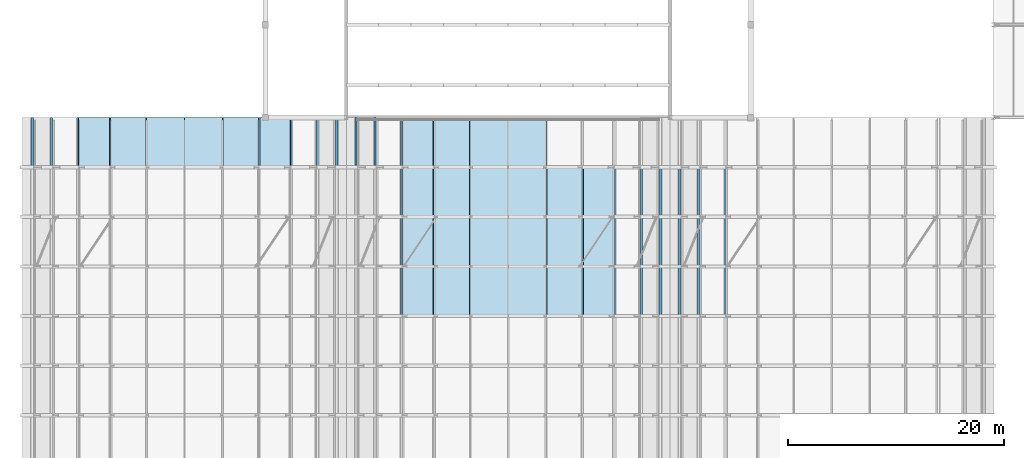
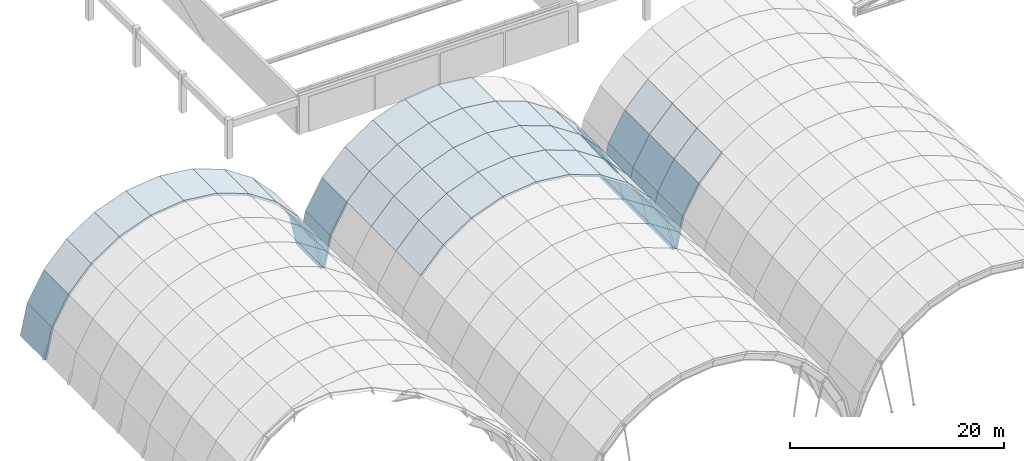
# One storey, part 23 of 47: 58 slabs, 3 elements without a shape of their own.
"""IFC4 building model written with IfcOpenShell, lengths in metres."""

from ifc_helpers import new_model, si_unit, direction, frame, origin, place, context, subcontext, project, spatial, polyline, outline, extrude, material, layer, layer_set, type_object, element, aggregate, save


model = new_model("IFC4")

# Units and contexts
model_context = context("Model", 3, precision=1e-05, world=origin(), true_north=direction((0.0, 1.0)))
body_context = subcontext(model_context, "Body", "Model", "MODEL_VIEW")
ifc_project = project(units=[si_unit("LENGTHUNIT", "METRE"), si_unit("AREAUNIT", "SQUARE_METRE"), si_unit("VOLUMEUNIT", "CUBIC_METRE"), si_unit("PLANEANGLEUNIT", "RADIAN"), si_unit("MASSUNIT", "GRAM", prefix="KILO")], contexts=[model_context])

# Site, building, storey
site_placement = place(None, origin())
site = spatial("IfcSite", under=ifc_project, at=site_placement, CompositionType="ELEMENT")
building_placement = place(site_placement, origin())
building = spatial("IfcBuilding", under=site, at=building_placement, Name="Muzn Square Opera House", CompositionType="ELEMENT")
storey_placement = place(building_placement, frame((0.0, 0.0, 31.0)))
storey = spatial("IfcBuildingStorey", under=building, at=storey_placement, Name="RF-1", CompositionType="ELEMENT", Elevation=31.0)

# Roof, slabs
ifc_material_1 = material(Name="Patina green copper-zinc standing seam", Category="metal")
roof_type = type_object("IfcRoofType", Name="Barrel Vault Roof Assembly", PredefinedType="BARREL_ROOF", material=ifc_material_1)
roof_1_placement = place(storey_placement, origin())
roof_1 = element("IfcRoof", 1, at=roof_1_placement, inside=storey, type_object=roof_type, Name="West Salon Barrel Vault Roof Assembly", PredefinedType="BARREL_ROOF")
ifc_material_2 = material(Name="Concrete C40/50", Category="concrete")
ifc_layer = layer(ifc_material_2, 0.219970703125, Name="Concrete C40/50", Category="concrete")
ifc_layer_set = layer_set([ifc_layer], Name="Concrete C40/50")
slab_type = type_object("IfcSlabType", Name="Barrel Vault Roof Slab 220mm", PredefinedType="ROOF", material=ifc_layer_set)
slab_1_placement = place(storey_placement, frame((43.780029296875, 68.0, -9.03564453125), z_axis=(-0.97702538959, 0.0, 0.213122941272), x_axis=(0.0, 1.0, 0.0)))
slab_1 = element("IfcSlab", 2, at=slab_1_placement, type_object=slab_type, Name="Barrel Vault Roof Deck Strip V1-10-F00", PredefinedType="ROOF", context=body_context, shape_type="SweptSolid", body=[
    extrude(outline(polyline([(0.0, 3.5523162058829336), (0.0, 0.0), (4.60009765625, 0.0), (4.60009765625, 3.5523162058829336), (0.0, 3.5523162058829336)])), origin(), (0.0, 0.0, -1.0), 0.219970703125),
])
slab_2_placement = place(storey_placement, frame((45.55712890625, 68.0, -5.891845703125), z_axis=(-0.870542692247, 0.0, 0.492092898724), x_axis=(0.0, 1.0, 0.0)))
slab_2 = element("IfcSlab", 3, at=slab_2_placement, type_object=slab_type, Name="Barrel Vault Roof Deck Strip V1-10-F01", PredefinedType="ROOF", context=body_context, shape_type="SweptSolid", body=[
    extrude(outline(polyline([(0.0, 3.611309193818898), (0.0, 0.0), (4.60009765625, 0.0), (4.60009765625, 3.611309193818898), (0.0, 3.611309193818898)])), origin(), (0.0, 0.0, -1.0), 0.219970703125),
])
slab_3_placement = place(storey_placement, frame((48.016845703125, 68.0, -3.24755859375), z_axis=(-0.732198498352, 0.0, 0.681091300055), x_axis=(0.0, 1.0, 0.0)))
slab_3 = element("IfcSlab", 4, at=slab_3_placement, type_object=slab_type, Name="Barrel Vault Roof Deck Strip V1-10-F02", PredefinedType="ROOF", context=body_context, shape_type="SweptSolid", body=[
    extrude(outline(polyline([(0.0, 3.6114347616474824), (0.0, 0.0), (4.60009765625, 0.0), (4.60009765625, 3.6114347616474824), (0.0, 3.6114347616474824)])), origin(), (0.0, 0.0, -1.0), 0.219970703125),
])
slab_4_placement = place(storey_placement, frame((51.02392578125, 68.0, -1.248046875), z_axis=(-0.553701293488, 0.0, 0.832715364089), x_axis=(0.0, 1.0, 0.0)))
slab_4 = element("IfcSlab", 5, at=slab_4_placement, type_object=slab_type, Name="Barrel Vault Roof Deck Strip V1-10-F03", PredefinedType="ROOF", context=body_context, shape_type="SweptSolid", body=[
    extrude(outline(polyline([(0.0, 3.611174007116637), (0.0, 0.0), (4.60009765625, 0.0), (4.60009765625, 3.611174007116637), (0.0, 3.611174007116637)])), origin(), (0.0, 0.0, -1.0), 0.219970703125),
])
slab_5_placement = place(storey_placement, frame((54.41357421875, 68.0, -0.00244140625), z_axis=(-0.344922006795, 0.0, 0.938631348948), x_axis=(0.0, 1.0, 0.0)))
slab_5 = element("IfcSlab", 6, at=slab_5_placement, type_object=slab_type, Name="Barrel Vault Roof Deck Strip V1-10-F04", PredefinedType="ROOF", context=body_context, shape_type="SweptSolid", body=[
    extrude(outline(polyline([(0.0, 3.6112670233072075), (0.0, 0.0), (4.60009765625, 0.0), (4.60009765625, 3.6112670233072075), (0.0, 3.6112670233072075)])), origin(), (0.0, 0.0, -1.0), 0.219970703125),
])
slab_6_placement = place(storey_placement, frame((58.0, 68.0, 0.419921875), z_axis=(-0.116958923267, 0.0, 0.993136753055), x_axis=(0.0, 1.0, 0.0)))
slab_6 = element("IfcSlab", 7, at=slab_6_placement, type_object=slab_type, Name="Barrel Vault Roof Deck Strip V1-10-F05", PredefinedType="ROOF", context=body_context, shape_type="SweptSolid", body=[
    extrude(outline(polyline([(0.0, 3.611210410065154), (0.0, 0.0), (4.60009765625, 0.0), (4.60009765625, 3.611210410065154), (0.0, 3.611210410065154)])), origin(), (0.0, 0.0, -1.0), 0.219970703125),
])
slab_7_placement = place(storey_placement, frame((58.0, 68.0, 0.419921875), z_axis=(0.116958923267, 0.0, 0.993136753055), x_axis=(0.993136753055, 0.0, -0.116958923267)))
slab_7 = element("IfcSlab", 8, at=slab_7_placement, type_object=slab_type, Name="Barrel Vault Roof Deck Strip V1-10-F06", PredefinedType="ROOF", context=body_context, shape_type="SweptSolid", body=[
    extrude(outline(polyline([(0.0, 0.0), (3.611210410065154, 0.0), (3.611210410065154, 4.60009765625), (0.0, 4.60009765625), (0.0, 0.0)])), origin(), (0.0, 0.0, -1.0), 0.219970703125),
])
slab_8_placement = place(storey_placement, frame((61.58642578125, 68.0, -0.00244140625), z_axis=(0.344922006795, 0.0, 0.938631348948), x_axis=(0.938631348948, 0.0, -0.344922006795)))
slab_8 = element("IfcSlab", 9, at=slab_8_placement, type_object=slab_type, Name="Barrel Vault Roof Deck Strip V1-10-F07", PredefinedType="ROOF", context=body_context, shape_type="SweptSolid", body=[
    extrude(outline(polyline([(0.0, 0.0), (3.6112670233072075, 0.0), (3.6112670233072075, 4.60009765625), (0.0, 4.60009765625), (0.0, 0.0)])), origin(), (0.0, 0.0, -1.0), 0.219970703125),
])
slab_9_placement = place(storey_placement, frame((64.97607421875, 68.0, -1.248046875), z_axis=(0.553701293488, 0.0, 0.832715364089), x_axis=(0.832715364089, 0.0, -0.553701293488)))
slab_9 = element("IfcSlab", 10, at=slab_9_placement, type_object=slab_type, Name="Barrel Vault Roof Deck Strip V1-10-F08", PredefinedType="ROOF", context=body_context, shape_type="SweptSolid", body=[
    extrude(outline(polyline([(0.0, 0.0), (3.611174007116638, 0.0), (3.611174007116638, 4.600097656249999), (0.0, 4.600097656249999), (0.0, 0.0)])), origin(), (0.0, 0.0, -1.0), 0.219970703125),
])
slab_10_placement = place(storey_placement, frame((67.983154296875, 68.0, -3.24755859375), z_axis=(0.732198498352, 0.0, 0.681091300055), x_axis=(0.681091300055, 0.0, -0.732198498352)))
slab_10 = element("IfcSlab", 11, at=slab_10_placement, type_object=slab_type, Name="Barrel Vault Roof Deck Strip V1-10-F09", PredefinedType="ROOF", context=body_context, shape_type="SweptSolid", body=[
    extrude(outline(polyline([(0.0, 0.0), (3.611434761647482, 0.0), (3.611434761647482, 4.600097656250001), (0.0, 4.600097656250001), (0.0, 0.0)])), origin(), (0.0, 0.0, -1.0), 0.219970703125),
])
slab_11_placement = place(storey_placement, frame((70.44287109375, 68.0, -5.891845703125), z_axis=(0.870542692247, 0.0, 0.492092898724), x_axis=(0.492092898724, 0.0, -0.870542692247)))
slab_11 = element("IfcSlab", 12, at=slab_11_placement, type_object=slab_type, Name="Barrel Vault Roof Deck Strip V1-10-F10", PredefinedType="ROOF", context=body_context, shape_type="SweptSolid", body=[
    extrude(outline(polyline([(0.0, 0.0), (3.611309193818898, 0.0), (3.611309193818898, 4.60009765625), (0.0, 4.60009765625), (0.0, 0.0)])), origin(), (0.0, 0.0, -1.0), 0.219970703125),
])
slab_12_placement = place(storey_placement, frame((72.219970703125, 68.0, -9.03564453125), z_axis=(0.97702538959, 0.0, 0.213122941272), x_axis=(0.213122941272, 0.0, -0.97702538959)))
slab_12 = element("IfcSlab", 13, at=slab_12_placement, type_object=slab_type, Name="Barrel Vault Roof Deck Strip V1-10-F11", PredefinedType="ROOF", context=body_context, shape_type="SweptSolid", body=[
    extrude(outline(polyline([(0.0, 0.0), (3.5523162058829336, 0.0), (3.5523162058829336, 4.60009765625), (0.0, 4.60009765625), (0.0, 0.0)])), origin(), (0.0, 0.0, -1.0), 0.219970703125),
])
aggregate(roof_1, [slab_1, slab_2, slab_3, slab_4, slab_5, slab_6, slab_7, slab_8, slab_9, slab_10, slab_11, slab_12])

roof_2_placement = place(storey_placement, origin())
roof_2 = element("IfcRoof", 14, at=roof_2_placement, inside=storey, type_object=roof_type, Name="Grand Auditorium Barrel Vault Roof Assembly", PredefinedType="BARREL_ROOF")
slab_13_placement = place(storey_placement, frame((78.016845703125, 54.199951171875, -3.24755859375), z_axis=(-0.732198498352, 0.0, 0.681091300055), x_axis=(0.0, 1.0, 0.0)))
slab_13 = element("IfcSlab", 15, at=slab_13_placement, type_object=slab_type, Name="Barrel Vault Roof Deck Strip V2-07-F02", PredefinedType="ROOF", context=body_context, shape_type="SweptSolid", body=[
    extrude(outline(polyline([(0.0, 3.6114347616474824), (0.0, 0.0), (4.60009765625, 0.0), (4.60009765625, 3.6114347616474824), (0.0, 3.6114347616474824)])), origin(), (0.0, 0.0, -1.0), 0.219970703125),
])
slab_14_placement = place(storey_placement, frame((81.02392578125, 54.199951171875, -1.248046875), z_axis=(-0.553701293488, 0.0, 0.832715364089), x_axis=(0.0, 1.0, 0.0)))
slab_14 = element("IfcSlab", 16, at=slab_14_placement, type_object=slab_type, Name="Barrel Vault Roof Deck Strip V2-07-F03", PredefinedType="ROOF", context=body_context, shape_type="SweptSolid", body=[
    extrude(outline(polyline([(0.0, 3.611174007116637), (0.0, 0.0), (4.60009765625, 0.0), (4.60009765625, 3.611174007116637), (0.0, 3.611174007116637)])), origin(), (0.0, 0.0, -1.0), 0.219970703125),
])
slab_15_placement = place(storey_placement, frame((84.41357421875, 54.199951171875, -0.00244140625), z_axis=(-0.344922006795, 0.0, 0.938631348948), x_axis=(0.0, 1.0, 0.0)))
slab_15 = element("IfcSlab", 17, at=slab_15_placement, type_object=slab_type, Name="Barrel Vault Roof Deck Strip V2-07-F04", PredefinedType="ROOF", context=body_context, shape_type="SweptSolid", body=[
    extrude(outline(polyline([(0.0, 3.6112670233072075), (0.0, 0.0), (4.60009765625, 0.0), (4.60009765625, 3.6112670233072075), (0.0, 3.6112670233072075)])), origin(), (0.0, 0.0, -1.0), 0.219970703125),
])
slab_16_placement = place(storey_placement, frame((88.0, 54.199951171875, 0.419921875), z_axis=(-0.116958923267, 0.0, 0.993136753055), x_axis=(0.0, 1.0, 0.0)))
slab_16 = element("IfcSlab", 18, at=slab_16_placement, type_object=slab_type, Name="Barrel Vault Roof Deck Strip V2-07-F05", PredefinedType="ROOF", context=body_context, shape_type="SweptSolid", body=[
    extrude(outline(polyline([(0.0, 3.611210410065154), (0.0, 0.0), (4.60009765625, 0.0), (4.60009765625, 3.611210410065154), (0.0, 3.611210410065154)])), origin(), (0.0, 0.0, -1.0), 0.219970703125),
])
slab_17_placement = place(storey_placement, frame((88.0, 54.199951171875, 0.419921875), z_axis=(0.116958923267, 0.0, 0.993136753055), x_axis=(0.993136753055, 0.0, -0.116958923267)))
slab_17 = element("IfcSlab", 19, at=slab_17_placement, type_object=slab_type, Name="Barrel Vault Roof Deck Strip V2-07-F06", PredefinedType="ROOF", context=body_context, shape_type="SweptSolid", body=[
    extrude(outline(polyline([(0.0, 0.0), (3.611210410065154, 0.0), (3.611210410065154, 4.60009765625), (0.0, 4.60009765625), (0.0, 0.0)])), origin(), (0.0, 0.0, -1.0), 0.219970703125),
])
slab_18_placement = place(storey_placement, frame((91.58642578125, 54.199951171875, -0.00244140625), z_axis=(0.344922006795, 0.0, 0.938631348948), x_axis=(0.938631348948, 0.0, -0.344922006795)))
slab_18 = element("IfcSlab", 20, at=slab_18_placement, type_object=slab_type, Name="Barrel Vault Roof Deck Strip V2-07-F07", PredefinedType="ROOF", context=body_context, shape_type="SweptSolid", body=[
    extrude(outline(polyline([(0.0, 0.0), (3.6112670233072075, 0.0), (3.6112670233072075, 4.60009765625), (0.0, 4.60009765625), (0.0, 0.0)])), origin(), (0.0, 0.0, -1.0), 0.219970703125),
])
slab_19_placement = place(storey_placement, frame((94.97607421875, 54.199951171875, -1.248046875), z_axis=(0.553701293488, 0.0, 0.832715364089), x_axis=(0.832715364089, 0.0, -0.553701293488)))
slab_19 = element("IfcSlab", 21, at=slab_19_placement, type_object=slab_type, Name="Barrel Vault Roof Deck Strip V2-07-F08", PredefinedType="ROOF", context=body_context, shape_type="SweptSolid", body=[
    extrude(outline(polyline([(0.0, 0.0), (3.611174007116638, 0.0), (3.611174007116638, 4.600097656249999), (0.0, 4.600097656249999), (0.0, 0.0)])), origin(), (0.0, 0.0, -1.0), 0.219970703125),
])
slab_20_placement = place(storey_placement, frame((97.983154296875, 54.199951171875, -3.24755859375), z_axis=(0.732198498352, 0.0, 0.681091300055), x_axis=(0.681091300055, 0.0, -0.732198498352)))
slab_20 = element("IfcSlab", 22, at=slab_20_placement, type_object=slab_type, Name="Barrel Vault Roof Deck Strip V2-07-F09", PredefinedType="ROOF", context=body_context, shape_type="SweptSolid", body=[
    extrude(outline(polyline([(0.0, 0.0), (3.611434761647482, 0.0), (3.611434761647482, 4.600097656250001), (0.0, 4.600097656250001), (0.0, 0.0)])), origin(), (0.0, 0.0, -1.0), 0.219970703125),
])
slab_21_placement = place(storey_placement, frame((100.44287109375, 54.199951171875, -5.891845703125), z_axis=(0.870542692247, 0.0, 0.492092898724), x_axis=(0.492092898724, 0.0, -0.870542692247)))
slab_21 = element("IfcSlab", 23, at=slab_21_placement, type_object=slab_type, Name="Barrel Vault Roof Deck Strip V2-07-F10", PredefinedType="ROOF", context=body_context, shape_type="SweptSolid", body=[
    extrude(outline(polyline([(0.0, 0.0), (3.611309193818898, 0.0), (3.611309193818898, 4.60009765625), (0.0, 4.60009765625), (0.0, 0.0)])), origin(), (0.0, 0.0, -1.0), 0.219970703125),
])
slab_22_placement = place(storey_placement, frame((102.219970703125, 54.199951171875, -9.03564453125), z_axis=(0.97702538959, 0.0, 0.213122941272), x_axis=(0.213122941272, 0.0, -0.97702538959)))
slab_22 = element("IfcSlab", 24, at=slab_22_placement, type_object=slab_type, Name="Barrel Vault Roof Deck Strip V2-07-F11", PredefinedType="ROOF", context=body_context, shape_type="SweptSolid", body=[
    extrude(outline(polyline([(0.0, 0.0), (3.5523162058829336, 0.0), (3.5523162058829336, 4.60009765625), (0.0, 4.60009765625), (0.0, 0.0)])), origin(), (0.0, 0.0, -1.0), 0.219970703125),
])
slab_23_placement = place(storey_placement, frame((78.016845703125, 58.800048828125, -3.24755859375), z_axis=(-0.732198498352, 0.0, 0.681091300055), x_axis=(0.0, 1.0, 0.0)))
slab_23 = element("IfcSlab", 25, at=slab_23_placement, type_object=slab_type, Name="Barrel Vault Roof Deck Strip V2-08-F02", PredefinedType="ROOF", context=body_context, shape_type="SweptSolid", body=[
    extrude(outline(polyline([(0.0, 3.6114347616474816), (0.0, 0.0), (4.599853515625, 0.0), (4.599853515625, 3.6114347616474816), (0.0, 3.6114347616474816)])), origin(), (0.0, 0.0, -1.0), 0.219970703125),
])
slab_24_placement = place(storey_placement, frame((81.02392578125, 58.800048828125, -1.248046875), z_axis=(-0.553701293488, 0.0, 0.832715364089), x_axis=(0.0, 1.0, 0.0)))
slab_24 = element("IfcSlab", 26, at=slab_24_placement, type_object=slab_type, Name="Barrel Vault Roof Deck Strip V2-08-F03", PredefinedType="ROOF", context=body_context, shape_type="SweptSolid", body=[
    extrude(outline(polyline([(0.0, 3.6111740071166376), (0.0, 0.0), (4.599853515625, 0.0), (4.599853515625, 3.6111740071166376), (0.0, 3.6111740071166376)])), origin(), (0.0, 0.0, -1.0), 0.219970703125),
])
slab_25_placement = place(storey_placement, frame((84.41357421875, 58.800048828125, -0.00244140625), z_axis=(-0.344922006795, 0.0, 0.938631348948), x_axis=(0.0, 1.0, 0.0)))
slab_25 = element("IfcSlab", 27, at=slab_25_placement, type_object=slab_type, Name="Barrel Vault Roof Deck Strip V2-08-F04", PredefinedType="ROOF", context=body_context, shape_type="SweptSolid", body=[
    extrude(outline(polyline([(0.0, 3.6112670233072075), (0.0, 0.0), (4.599853515625, 0.0), (4.599853515625, 3.6112670233072075), (0.0, 3.6112670233072075)])), origin(), (0.0, 0.0, -1.0), 0.219970703125),
])
slab_26_placement = place(storey_placement, frame((88.0, 58.800048828125, 0.419921875), z_axis=(-0.116958923267, 0.0, 0.993136753055), x_axis=(0.0, 1.0, 0.0)))
slab_26 = element("IfcSlab", 28, at=slab_26_placement, type_object=slab_type, Name="Barrel Vault Roof Deck Strip V2-08-F05", PredefinedType="ROOF", context=body_context, shape_type="SweptSolid", body=[
    extrude(outline(polyline([(0.0, 3.611210410065154), (0.0, 0.0), (4.599853515625, 0.0), (4.599853515625, 3.611210410065154), (0.0, 3.611210410065154)])), origin(), (0.0, 0.0, -1.0), 0.219970703125),
])
slab_27_placement = place(storey_placement, frame((88.0, 58.800048828125, 0.419921875), z_axis=(0.116958923267, 0.0, 0.993136753055), x_axis=(0.993136753055, 0.0, -0.116958923267)))
slab_27 = element("IfcSlab", 29, at=slab_27_placement, type_object=slab_type, Name="Barrel Vault Roof Deck Strip V2-08-F06", PredefinedType="ROOF", context=body_context, shape_type="SweptSolid", body=[
    extrude(outline(polyline([(0.0, 0.0), (3.611210410065154, 0.0), (3.611210410065154, 4.599853515625), (0.0, 4.599853515625), (0.0, 0.0)])), origin(), (0.0, 0.0, -1.0), 0.219970703125),
])
slab_28_placement = place(storey_placement, frame((91.58642578125, 58.800048828125, -0.00244140625), z_axis=(0.344922006795, 0.0, 0.938631348948), x_axis=(0.938631348948, 0.0, -0.344922006795)))
slab_28 = element("IfcSlab", 30, at=slab_28_placement, type_object=slab_type, Name="Barrel Vault Roof Deck Strip V2-08-F07", PredefinedType="ROOF", context=body_context, shape_type="SweptSolid", body=[
    extrude(outline(polyline([(0.0, 0.0), (3.6112670233072075, 0.0), (3.6112670233072075, 4.599853515625), (0.0, 4.599853515625), (0.0, 0.0)])), origin(), (0.0, 0.0, -1.0), 0.219970703125),
])
slab_29_placement = place(storey_placement, frame((94.97607421875, 58.800048828125, -1.248046875), z_axis=(0.553701293488, 0.0, 0.832715364089), x_axis=(0.832715364089, 0.0, -0.553701293488)))
slab_29 = element("IfcSlab", 31, at=slab_29_placement, type_object=slab_type, Name="Barrel Vault Roof Deck Strip V2-08-F08", PredefinedType="ROOF", context=body_context, shape_type="SweptSolid", body=[
    extrude(outline(polyline([(0.0, 0.0), (3.611174007116638, 0.0), (3.611174007116638, 4.599853515625), (0.0, 4.599853515625), (0.0, 0.0)])), origin(), (0.0, 0.0, -1.0), 0.219970703125),
])
slab_30_placement = place(storey_placement, frame((97.983154296875, 58.800048828125, -3.24755859375), z_axis=(0.732198498352, 0.0, 0.681091300055), x_axis=(0.681091300055, 0.0, -0.732198498352)))
slab_30 = element("IfcSlab", 32, at=slab_30_placement, type_object=slab_type, Name="Barrel Vault Roof Deck Strip V2-08-F09", PredefinedType="ROOF", context=body_context, shape_type="SweptSolid", body=[
    extrude(outline(polyline([(0.0, 0.0), (3.611434761647482, 0.0), (3.611434761647482, 4.599853515625), (0.0, 4.599853515625), (0.0, 0.0)])), origin(), (0.0, 0.0, -1.0), 0.219970703125),
])
slab_31_placement = place(storey_placement, frame((100.44287109375, 58.800048828125, -5.891845703125), z_axis=(0.870542692247, 0.0, 0.492092898724), x_axis=(0.492092898724, 0.0, -0.870542692247)))
slab_31 = element("IfcSlab", 33, at=slab_31_placement, type_object=slab_type, Name="Barrel Vault Roof Deck Strip V2-08-F10", PredefinedType="ROOF", context=body_context, shape_type="SweptSolid", body=[
    extrude(outline(polyline([(0.0, 0.0), (3.611309193818898, 0.0), (3.611309193818898, 4.599853515625), (0.0, 4.599853515625), (0.0, 0.0)])), origin(), (0.0, 0.0, -1.0), 0.219970703125),
])
slab_32_placement = place(storey_placement, frame((102.219970703125, 58.800048828125, -9.03564453125), z_axis=(0.97702538959, 0.0, 0.213122941272), x_axis=(0.213122941272, 0.0, -0.97702538959)))
slab_32 = element("IfcSlab", 34, at=slab_32_placement, type_object=slab_type, Name="Barrel Vault Roof Deck Strip V2-08-F11", PredefinedType="ROOF", context=body_context, shape_type="SweptSolid", body=[
    extrude(outline(polyline([(0.0, 0.0), (3.5523162058829336, 0.0), (3.5523162058829336, 4.599853515625), (0.0, 4.599853515625), (0.0, 0.0)])), origin(), (0.0, 0.0, -1.0), 0.219970703125),
])
slab_33_placement = place(storey_placement, frame((78.016845703125, 63.39990234375, -3.24755859375), z_axis=(-0.732198498352, 0.0, 0.681091300055), x_axis=(0.0, 1.0, 0.0)))
slab_33 = element("IfcSlab", 35, at=slab_33_placement, type_object=slab_type, Name="Barrel Vault Roof Deck Strip V2-09-F02", PredefinedType="ROOF", context=body_context, shape_type="SweptSolid", body=[
    extrude(outline(polyline([(0.0, 3.6114347616474824), (0.0, 0.0), (4.60009765625, 0.0), (4.60009765625, 3.6114347616474824), (0.0, 3.6114347616474824)])), origin(), (0.0, 0.0, -1.0), 0.219970703125),
])
slab_34_placement = place(storey_placement, frame((81.02392578125, 63.39990234375, -1.248046875), z_axis=(-0.553701293488, 0.0, 0.832715364089), x_axis=(0.0, 1.0, 0.0)))
slab_34 = element("IfcSlab", 36, at=slab_34_placement, type_object=slab_type, Name="Barrel Vault Roof Deck Strip V2-09-F03", PredefinedType="ROOF", context=body_context, shape_type="SweptSolid", body=[
    extrude(outline(polyline([(0.0, 3.611174007116637), (0.0, 0.0), (4.60009765625, 0.0), (4.60009765625, 3.611174007116637), (0.0, 3.611174007116637)])), origin(), (0.0, 0.0, -1.0), 0.219970703125),
])
slab_35_placement = place(storey_placement, frame((84.41357421875, 63.39990234375, -0.00244140625), z_axis=(-0.344922006795, 0.0, 0.938631348948), x_axis=(0.0, 1.0, 0.0)))
slab_35 = element("IfcSlab", 37, at=slab_35_placement, type_object=slab_type, Name="Barrel Vault Roof Deck Strip V2-09-F04", PredefinedType="ROOF", context=body_context, shape_type="SweptSolid", body=[
    extrude(outline(polyline([(0.0, 3.6112670233072075), (0.0, 0.0), (4.60009765625, 0.0), (4.60009765625, 3.6112670233072075), (0.0, 3.6112670233072075)])), origin(), (0.0, 0.0, -1.0), 0.219970703125),
])
slab_36_placement = place(storey_placement, frame((88.0, 63.39990234375, 0.419921875), z_axis=(-0.116958923267, 0.0, 0.993136753055), x_axis=(0.0, 1.0, 0.0)))
slab_36 = element("IfcSlab", 38, at=slab_36_placement, type_object=slab_type, Name="Barrel Vault Roof Deck Strip V2-09-F05", PredefinedType="ROOF", context=body_context, shape_type="SweptSolid", body=[
    extrude(outline(polyline([(0.0, 3.611210410065154), (0.0, 0.0), (4.60009765625, 0.0), (4.60009765625, 3.611210410065154), (0.0, 3.611210410065154)])), origin(), (0.0, 0.0, -1.0), 0.219970703125),
])
slab_37_placement = place(storey_placement, frame((88.0, 63.39990234375, 0.419921875), z_axis=(0.116958923267, 0.0, 0.993136753055), x_axis=(0.993136753055, 0.0, -0.116958923267)))
slab_37 = element("IfcSlab", 39, at=slab_37_placement, type_object=slab_type, Name="Barrel Vault Roof Deck Strip V2-09-F06", PredefinedType="ROOF", context=body_context, shape_type="SweptSolid", body=[
    extrude(outline(polyline([(0.0, 0.0), (3.611210410065154, 0.0), (3.611210410065154, 4.60009765625), (0.0, 4.60009765625), (0.0, 0.0)])), origin(), (0.0, 0.0, -1.0), 0.219970703125),
])
slab_38_placement = place(storey_placement, frame((91.58642578125, 63.39990234375, -0.00244140625), z_axis=(0.344922006795, 0.0, 0.938631348948), x_axis=(0.938631348948, 0.0, -0.344922006795)))
slab_38 = element("IfcSlab", 40, at=slab_38_placement, type_object=slab_type, Name="Barrel Vault Roof Deck Strip V2-09-F07", PredefinedType="ROOF", context=body_context, shape_type="SweptSolid", body=[
    extrude(outline(polyline([(0.0, 0.0), (3.6112670233072075, 0.0), (3.6112670233072075, 4.60009765625), (0.0, 4.60009765625), (0.0, 0.0)])), origin(), (0.0, 0.0, -1.0), 0.219970703125),
])
slab_39_placement = place(storey_placement, frame((94.97607421875, 63.39990234375, -1.248046875), z_axis=(0.553701293488, 0.0, 0.832715364089), x_axis=(0.832715364089, 0.0, -0.553701293488)))
slab_39 = element("IfcSlab", 41, at=slab_39_placement, type_object=slab_type, Name="Barrel Vault Roof Deck Strip V2-09-F08", PredefinedType="ROOF", context=body_context, shape_type="SweptSolid", body=[
    extrude(outline(polyline([(0.0, 0.0), (3.611174007116638, 0.0), (3.611174007116638, 4.600097656249999), (0.0, 4.600097656249999), (0.0, 0.0)])), origin(), (0.0, 0.0, -1.0), 0.219970703125),
])
slab_40_placement = place(storey_placement, frame((97.983154296875, 63.39990234375, -3.24755859375), z_axis=(0.732198498352, 0.0, 0.681091300055), x_axis=(0.681091300055, 0.0, -0.732198498352)))
slab_40 = element("IfcSlab", 42, at=slab_40_placement, type_object=slab_type, Name="Barrel Vault Roof Deck Strip V2-09-F09", PredefinedType="ROOF", context=body_context, shape_type="SweptSolid", body=[
    extrude(outline(polyline([(0.0, 0.0), (3.611434761647482, 0.0), (3.611434761647482, 4.600097656250001), (0.0, 4.600097656250001), (0.0, 0.0)])), origin(), (0.0, 0.0, -1.0), 0.219970703125),
])
slab_41_placement = place(storey_placement, frame((100.44287109375, 63.39990234375, -5.891845703125), z_axis=(0.870542692247, 0.0, 0.492092898724), x_axis=(0.492092898724, 0.0, -0.870542692247)))
slab_41 = element("IfcSlab", 43, at=slab_41_placement, type_object=slab_type, Name="Barrel Vault Roof Deck Strip V2-09-F10", PredefinedType="ROOF", context=body_context, shape_type="SweptSolid", body=[
    extrude(outline(polyline([(0.0, 0.0), (3.611309193818898, 0.0), (3.611309193818898, 4.60009765625), (0.0, 4.60009765625), (0.0, 0.0)])), origin(), (0.0, 0.0, -1.0), 0.219970703125),
])
slab_42_placement = place(storey_placement, frame((102.219970703125, 63.39990234375, -9.03564453125), z_axis=(0.97702538959, 0.0, 0.213122941272), x_axis=(0.213122941272, 0.0, -0.97702538959)))
slab_42 = element("IfcSlab", 44, at=slab_42_placement, type_object=slab_type, Name="Barrel Vault Roof Deck Strip V2-09-F11", PredefinedType="ROOF", context=body_context, shape_type="SweptSolid", body=[
    extrude(outline(polyline([(0.0, 0.0), (3.5523162058829336, 0.0), (3.5523162058829336, 4.60009765625), (0.0, 4.60009765625), (0.0, 0.0)])), origin(), (0.0, 0.0, -1.0), 0.219970703125),
])
slab_43_placement = place(storey_placement, frame((73.780029296875, 68.0, -9.03564453125), z_axis=(-0.97702538959, 0.0, 0.213122941272), x_axis=(0.0, 1.0, 0.0)))
slab_43 = element("IfcSlab", 45, at=slab_43_placement, type_object=slab_type, Name="Barrel Vault Roof Deck Strip V2-10-F00", PredefinedType="ROOF", context=body_context, shape_type="SweptSolid", body=[
    extrude(outline(polyline([(0.0, 3.5523162058829336), (0.0, 0.0), (4.60009765625, 0.0), (4.60009765625, 3.5523162058829336), (0.0, 3.5523162058829336)])), origin(), (0.0, 0.0, -1.0), 0.219970703125),
])
slab_44_placement = place(storey_placement, frame((75.55712890625, 68.0, -5.891845703125), z_axis=(-0.870542692247, 0.0, 0.492092898724), x_axis=(0.0, 1.0, 0.0)))
slab_44 = element("IfcSlab", 46, at=slab_44_placement, type_object=slab_type, Name="Barrel Vault Roof Deck Strip V2-10-F01", PredefinedType="ROOF", context=body_context, shape_type="SweptSolid", body=[
    extrude(outline(polyline([(0.0, 3.611309193818898), (0.0, 0.0), (4.60009765625, 0.0), (4.60009765625, 3.611309193818898), (0.0, 3.611309193818898)])), origin(), (0.0, 0.0, -1.0), 0.219970703125),
])
slab_45_placement = place(storey_placement, frame((78.016845703125, 68.0, -3.24755859375), z_axis=(-0.732198498352, 0.0, 0.681091300055), x_axis=(0.0, 1.0, 0.0)))
slab_45 = element("IfcSlab", 47, at=slab_45_placement, type_object=slab_type, Name="Barrel Vault Roof Deck Strip V2-10-F02", PredefinedType="ROOF", context=body_context, shape_type="SweptSolid", body=[
    extrude(outline(polyline([(0.0, 3.6114347616474824), (0.0, 0.0), (4.60009765625, 0.0), (4.60009765625, 3.6114347616474824), (0.0, 3.6114347616474824)])), origin(), (0.0, 0.0, -1.0), 0.219970703125),
])
slab_46_placement = place(storey_placement, frame((81.02392578125, 68.0, -1.248046875), z_axis=(-0.553701293488, 0.0, 0.832715364089), x_axis=(0.0, 1.0, 0.0)))
slab_46 = element("IfcSlab", 48, at=slab_46_placement, type_object=slab_type, Name="Barrel Vault Roof Deck Strip V2-10-F03", PredefinedType="ROOF", context=body_context, shape_type="SweptSolid", body=[
    extrude(outline(polyline([(0.0, 3.611174007116637), (0.0, 0.0), (4.60009765625, 0.0), (4.60009765625, 3.611174007116637), (0.0, 3.611174007116637)])), origin(), (0.0, 0.0, -1.0), 0.219970703125),
])
slab_47_placement = place(storey_placement, frame((84.41357421875, 68.0, -0.00244140625), z_axis=(-0.344922006795, 0.0, 0.938631348948), x_axis=(0.0, 1.0, 0.0)))
slab_47 = element("IfcSlab", 49, at=slab_47_placement, type_object=slab_type, Name="Barrel Vault Roof Deck Strip V2-10-F04", PredefinedType="ROOF", context=body_context, shape_type="SweptSolid", body=[
    extrude(outline(polyline([(0.0, 3.6112670233072075), (0.0, 0.0), (4.60009765625, 0.0), (4.60009765625, 3.6112670233072075), (0.0, 3.6112670233072075)])), origin(), (0.0, 0.0, -1.0), 0.219970703125),
])
slab_48_placement = place(storey_placement, frame((88.0, 68.0, 0.419921875), z_axis=(-0.116958923267, 0.0, 0.993136753055), x_axis=(0.0, 1.0, 0.0)))
slab_48 = element("IfcSlab", 50, at=slab_48_placement, type_object=slab_type, Name="Barrel Vault Roof Deck Strip V2-10-F05", PredefinedType="ROOF", context=body_context, shape_type="SweptSolid", body=[
    extrude(outline(polyline([(0.0, 3.611210410065154), (0.0, 0.0), (4.60009765625, 0.0), (4.60009765625, 3.611210410065154), (0.0, 3.611210410065154)])), origin(), (0.0, 0.0, -1.0), 0.219970703125),
])
slab_49_placement = place(storey_placement, frame((88.0, 68.0, 0.419921875), z_axis=(0.116958923267, 0.0, 0.993136753055), x_axis=(0.993136753055, 0.0, -0.116958923267)))
slab_49 = element("IfcSlab", 51, at=slab_49_placement, type_object=slab_type, Name="Barrel Vault Roof Deck Strip V2-10-F06", PredefinedType="ROOF", context=body_context, shape_type="SweptSolid", body=[
    extrude(outline(polyline([(0.0, 0.0), (3.611210410065154, 0.0), (3.611210410065154, 4.60009765625), (0.0, 4.60009765625), (0.0, 0.0)])), origin(), (0.0, 0.0, -1.0), 0.219970703125),
])
aggregate(roof_2, [slab_13, slab_14, slab_15, slab_16, slab_17, slab_18, slab_19, slab_20, slab_21, slab_22, slab_23, slab_24, slab_25, slab_26, slab_27, slab_28, slab_29, slab_30, slab_31, slab_32, slab_33, slab_34, slab_35, slab_36, slab_37, slab_38, slab_39, slab_40, slab_41, slab_42, slab_43, slab_44, slab_45, slab_46, slab_47, slab_48, slab_49])

roof_3_placement = place(storey_placement, origin())
roof_3 = element("IfcRoof", 52, at=roof_3_placement, inside=storey, type_object=roof_type, Name="East Foyer Barrel Vault Roof Assembly", PredefinedType="BARREL_ROOF")
slab_50_placement = place(storey_placement, frame((103.780029296875, 54.199951171875, -9.03564453125), z_axis=(-0.97702538959, 0.0, 0.213122941272), x_axis=(0.0, 1.0, 0.0)))
slab_50 = element("IfcSlab", 53, at=slab_50_placement, type_object=slab_type, Name="Barrel Vault Roof Deck Strip V3-07-F00", PredefinedType="ROOF", context=body_context, shape_type="SweptSolid", body=[
    extrude(outline(polyline([(0.0, 3.5523162058829336), (0.0, 0.0), (4.60009765625, 0.0), (4.60009765625, 3.5523162058829336), (0.0, 3.5523162058829336)])), origin(), (0.0, 0.0, -1.0), 0.219970703125),
])
slab_51_placement = place(storey_placement, frame((105.55712890625, 54.199951171875, -5.891845703125), z_axis=(-0.870542692247, 0.0, 0.492092898724), x_axis=(0.0, 1.0, 0.0)))
slab_51 = element("IfcSlab", 54, at=slab_51_placement, type_object=slab_type, Name="Barrel Vault Roof Deck Strip V3-07-F01", PredefinedType="ROOF", context=body_context, shape_type="SweptSolid", body=[
    extrude(outline(polyline([(0.0, 3.611309193818898), (0.0, 0.0), (4.60009765625, 0.0), (4.60009765625, 3.611309193818898), (0.0, 3.611309193818898)])), origin(), (0.0, 0.0, -1.0), 0.219970703125),
])
slab_52_placement = place(storey_placement, frame((108.016845703125, 54.199951171875, -3.24755859375), z_axis=(-0.732198498352, 0.0, 0.681091300055), x_axis=(0.0, 1.0, 0.0)))
slab_52 = element("IfcSlab", 55, at=slab_52_placement, type_object=slab_type, Name="Barrel Vault Roof Deck Strip V3-07-F02", PredefinedType="ROOF", context=body_context, shape_type="SweptSolid", body=[
    extrude(outline(polyline([(0.0, 3.6114347616474824), (0.0, 0.0), (4.60009765625, 0.0), (4.60009765625, 3.6114347616474824), (0.0, 3.6114347616474824)])), origin(), (0.0, 0.0, -1.0), 0.219970703125),
])
slab_53_placement = place(storey_placement, frame((103.780029296875, 58.800048828125, -9.03564453125), z_axis=(-0.97702538959, 0.0, 0.213122941272), x_axis=(0.0, 1.0, 0.0)))
slab_53 = element("IfcSlab", 56, at=slab_53_placement, type_object=slab_type, Name="Barrel Vault Roof Deck Strip V3-08-F00", PredefinedType="ROOF", context=body_context, shape_type="SweptSolid", body=[
    extrude(outline(polyline([(0.0, 3.5523162058829336), (0.0, 0.0), (4.599853515625, 0.0), (4.599853515625, 3.5523162058829336), (0.0, 3.5523162058829336)])), origin(), (0.0, 0.0, -1.0), 0.219970703125),
])
slab_54_placement = place(storey_placement, frame((105.55712890625, 58.800048828125, -5.891845703125), z_axis=(-0.870542692247, 0.0, 0.492092898724), x_axis=(0.0, 1.0, 0.0)))
slab_54 = element("IfcSlab", 57, at=slab_54_placement, type_object=slab_type, Name="Barrel Vault Roof Deck Strip V3-08-F01", PredefinedType="ROOF", context=body_context, shape_type="SweptSolid", body=[
    extrude(outline(polyline([(0.0, 3.611309193818898), (0.0, 0.0), (4.599853515625, 0.0), (4.599853515625, 3.611309193818898), (0.0, 3.611309193818898)])), origin(), (0.0, 0.0, -1.0), 0.219970703125),
])
slab_55_placement = place(storey_placement, frame((108.016845703125, 58.800048828125, -3.24755859375), z_axis=(-0.732198498352, 0.0, 0.681091300055), x_axis=(0.0, 1.0, 0.0)))
slab_55 = element("IfcSlab", 58, at=slab_55_placement, type_object=slab_type, Name="Barrel Vault Roof Deck Strip V3-08-F02", PredefinedType="ROOF", context=body_context, shape_type="SweptSolid", body=[
    extrude(outline(polyline([(0.0, 3.6114347616474816), (0.0, 0.0), (4.599853515625, 0.0), (4.599853515625, 3.6114347616474816), (0.0, 3.6114347616474816)])), origin(), (0.0, 0.0, -1.0), 0.219970703125),
])
slab_56_placement = place(storey_placement, frame((103.780029296875, 63.39990234375, -9.03564453125), z_axis=(-0.97702538959, 0.0, 0.213122941272), x_axis=(0.0, 1.0, 0.0)))
slab_56 = element("IfcSlab", 59, at=slab_56_placement, type_object=slab_type, Name="Barrel Vault Roof Deck Strip V3-09-F00", PredefinedType="ROOF", context=body_context, shape_type="SweptSolid", body=[
    extrude(outline(polyline([(0.0, 3.5523162058829336), (0.0, 0.0), (4.60009765625, 0.0), (4.60009765625, 3.5523162058829336), (0.0, 3.5523162058829336)])), origin(), (0.0, 0.0, -1.0), 0.219970703125),
])
slab_57_placement = place(storey_placement, frame((105.55712890625, 63.39990234375, -5.891845703125), z_axis=(-0.870542692247, 0.0, 0.492092898724), x_axis=(0.0, 1.0, 0.0)))
slab_57 = element("IfcSlab", 60, at=slab_57_placement, type_object=slab_type, Name="Barrel Vault Roof Deck Strip V3-09-F01", PredefinedType="ROOF", context=body_context, shape_type="SweptSolid", body=[
    extrude(outline(polyline([(0.0, 3.611309193818898), (0.0, 0.0), (4.60009765625, 0.0), (4.60009765625, 3.611309193818898), (0.0, 3.611309193818898)])), origin(), (0.0, 0.0, -1.0), 0.219970703125),
])
slab_58_placement = place(storey_placement, frame((108.016845703125, 63.39990234375, -3.24755859375), z_axis=(-0.732198498352, 0.0, 0.681091300055), x_axis=(0.0, 1.0, 0.0)))
slab_58 = element("IfcSlab", 61, at=slab_58_placement, type_object=slab_type, Name="Barrel Vault Roof Deck Strip V3-09-F02", PredefinedType="ROOF", context=body_context, shape_type="SweptSolid", body=[
    extrude(outline(polyline([(0.0, 3.6114347616474824), (0.0, 0.0), (4.60009765625, 0.0), (4.60009765625, 3.6114347616474824), (0.0, 3.6114347616474824)])), origin(), (0.0, 0.0, -1.0), 0.219970703125),
])
aggregate(roof_3, [slab_50, slab_51, slab_52, slab_53, slab_54, slab_55, slab_56, slab_57, slab_58])

save(model, "model.ifc")
